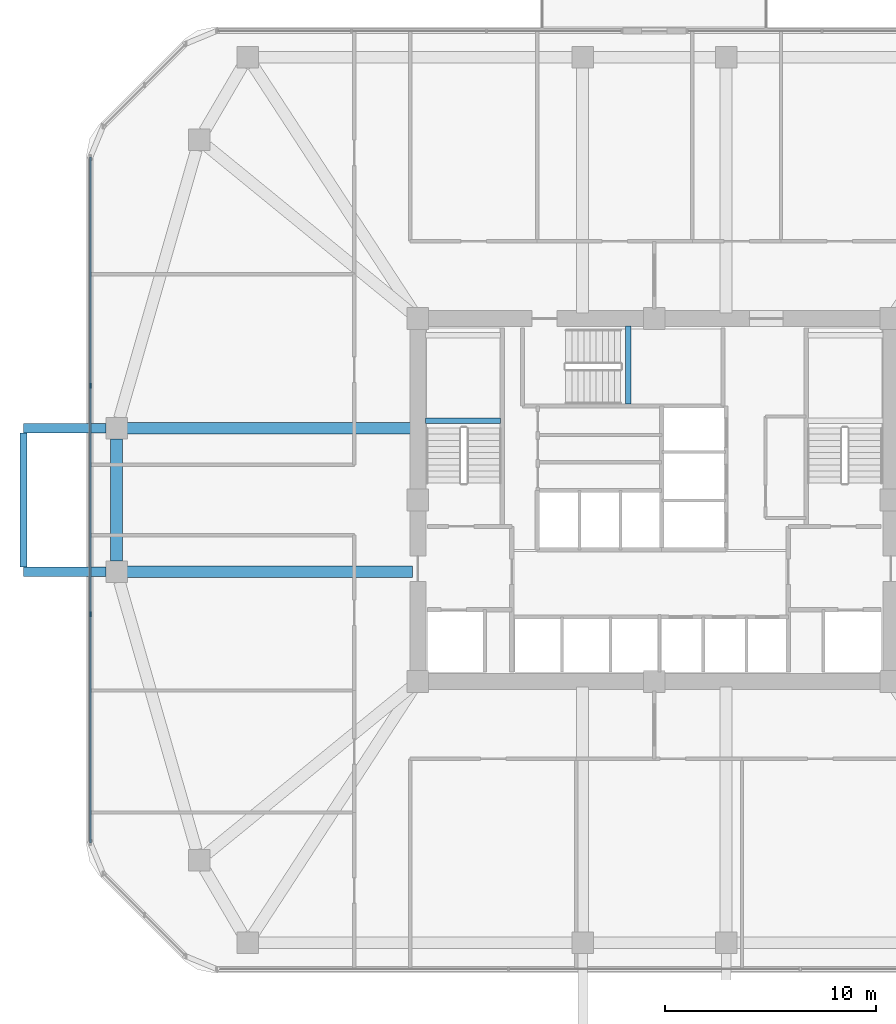
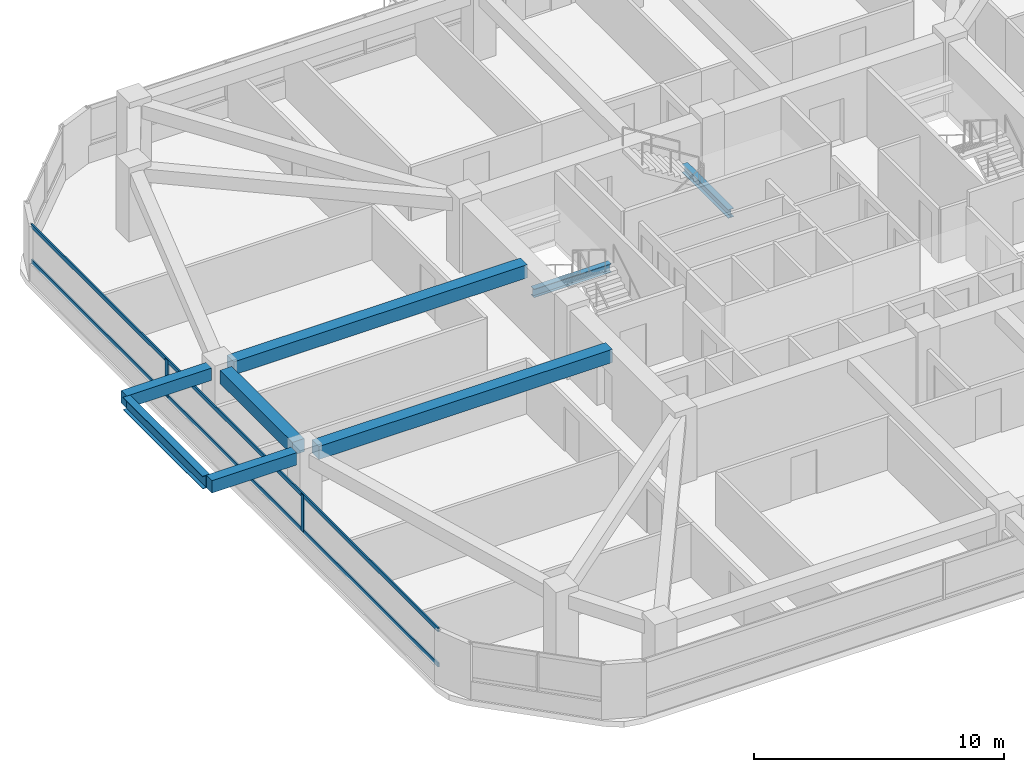
# One storey, part 4 of 14: 8 beams, 4 members, 1 element without a shape of its own.
"""IFC4 building model written with IfcOpenShell, lengths in metres."""

from ifc_helpers import new_model, si_unit, derived_unit, direction, frame, origin, origin_2d, place, context, subcontext, project, spatial, rectangle, i_section, extrude, material, material_profile, profile_set, type_object, element, aggregate, save


model = new_model("IFC4")

# Units and contexts
model_context = context("Model", 3, precision=1e-05, world=origin(), true_north=direction((0.0, 1.0)))
body_context = subcontext(model_context, "Body", "Model", "MODEL_VIEW")
ifc_project = project(units=[si_unit("LENGTHUNIT", "METRE"), si_unit("AREAUNIT", "SQUARE_METRE"), si_unit("VOLUMEUNIT", "CUBIC_METRE"), si_unit("PLANEANGLEUNIT", "RADIAN"), si_unit("MASSUNIT", "GRAM", prefix="KILO"), derived_unit("THERMALTRANSMITTANCEUNIT", [(si_unit("POWERUNIT", "WATT"), 1), (si_unit("LENGTHUNIT", "METRE"), -2), (si_unit("THERMODYNAMICTEMPERATUREUNIT", "KELVIN"), -1)])], contexts=[model_context])

# Site, building, storey
site_placement = place(None, origin())
site = spatial("IfcSite", under=ifc_project, at=site_placement, CompositionType="ELEMENT")
building_placement = place(site_placement, origin())
building = spatial("IfcBuilding", under=site, at=building_placement, Name="Koralith Skygarden Medical Center", CompositionType="ELEMENT")
storey_placement = place(building_placement, frame((0.0, 0.0, 81.179931640625)))
storey = spatial("IfcBuildingStorey", under=building, at=storey_placement, Name="L20", CompositionType="ELEMENT", Elevation=81.179931640625)

# Curtain wall, members
ifc_material_1 = material(Name="Clear Laminated Glass", Category="glass")
curtain_wall_type = type_object("IfcCurtainWallType", Name="CW-3 Zone 2 Faceted Solar Curtain Wall", PredefinedType="NOTDEFINED", material=ifc_material_1)
curtain_wall_placement = place(storey_placement, origin())
curtain_wall = element("IfcCurtainWall", 1, at=curtain_wall_placement, inside=storey, type_object=curtain_wall_type, Name="Curtain Wall CW-L20-W", PredefinedType="NOTDEFINED")
ifc_material_2 = material(Name="Aluminium 6063-T6", Category="aluminium")
ifc_material_profile_1 = material_profile(ifc_material_2, rectangle(XDim=0.073974609375, YDim=0.219970703125, at=origin_2d()), Name="MUL74X220")
ifc_profile_set_1 = profile_set([ifc_material_profile_1], Name="Aluminium 6063-T6")
member_type_1 = type_object("IfcMemberType", Name="CW-3 Extruded Mullion 74x220", PredefinedType="MULLION", material=ifc_profile_set_1)
member_1_placement = place(storey_placement, frame((10.280029296875, 31.31494140625, 0.85009765625), z_axis=(0.0, 0.0, 1.0), x_axis=(1.0, 0.0, 0.0)))
member_1 = element("IfcMember", 2, at=member_1_placement, type_object=member_type_1, Name="CW-L20-W Mullion 2", PredefinedType="MULLION", context=body_context, shape_type="SweptSolid", body=[
    extrude(rectangle(XDim=0.073974609375, YDim=0.219970703125, at=origin_2d()), origin(), (0.0, 0.0, 1.0), 1.820068359375),
])
member_2_placement = place(storey_placement, frame((10.280029296875, 20.485107421875, 0.85009765625), z_axis=(0.0, 0.0, 1.0), x_axis=(1.0, 0.0, 0.0)))
member_2 = element("IfcMember", 3, at=member_2_placement, type_object=member_type_1, Name="CW-L20-W Mullion 3", PredefinedType="MULLION", context=body_context, shape_type="SweptSolid", body=[
    extrude(rectangle(XDim=0.073974609375, YDim=0.219970703125, at=origin_2d()), origin(), (0.0, 0.0, 1.0), 1.820068359375),
])
ifc_material_profile_2 = material_profile(ifc_material_2, rectangle(XDim=0.069091796875, YDim=0.197998046875, at=origin_2d()), Name="TRN69X198")
ifc_profile_set_2 = profile_set([ifc_material_profile_2], Name="Aluminium 6063-T6")
member_type_2 = type_object("IfcMemberType", Name="CW-3 Thermal Transom 69x198", PredefinedType="USERDEFINED", material=ifc_profile_set_2)
member_3_placement = place(storey_placement, frame((10.280029296875, 42.14501953125, 0.900146484375), z_axis=(0.0, -1.0, 0.0), x_axis=(1.0, 0.0, 0.0)))
member_3 = element("IfcMember", 4, at=member_3_placement, type_object=member_type_2, Name="CW-L20-W Transom 1", ObjectType="TRANSOM", PredefinedType="USERDEFINED", context=body_context, shape_type="SweptSolid", body=[
    extrude(rectangle(XDim=0.069091796875, YDim=0.197998046875, at=origin_2d()), origin(), (0.0, 0.0, 1.0), 32.489990234375),
])
member_4_placement = place(storey_placement, frame((10.280029296875, 42.14501953125, 2.6201171875), z_axis=(0.0, -1.0, 0.0), x_axis=(1.0, 0.0, 0.0)))
member_4 = element("IfcMember", 5, at=member_4_placement, type_object=member_type_2, Name="CW-L20-W Transom 2", ObjectType="TRANSOM", PredefinedType="USERDEFINED", context=body_context, shape_type="SweptSolid", body=[
    extrude(rectangle(XDim=0.069091796875, YDim=0.197998046875, at=origin_2d()), origin(), (0.0, 0.0, 1.0), 32.489990234375),
])
aggregate(curtain_wall, [member_1, member_2, member_3, member_4])

# Beams
ifc_material_3 = material(Name="Steel ASTM A992 Grade 50", Category="steel")
ifc_material_profile_3 = material_profile(ifc_material_3, i_section(OverallWidth=0.326904296875, OverallDepth=0.6220703125, WebThickness=0.015380859375, FlangeThickness=0.0244140625, at=origin_2d()), Name="W24X131")
ifc_profile_set_3 = profile_set([ifc_material_profile_3], Name="Steel ASTM A992 Grade 50")
beam_type_1 = type_object("IfcBeamType", Name="Cantilever Tie Beam W24X131", PredefinedType="BEAM", material=ifc_profile_set_3)
beam_1_placement = place(storey_placement, frame((7.110107421875, 22.719970703125, 3.029052734375), z_axis=(0.0, 1.0, 0.0), x_axis=(-1.0, 0.0, 0.0)))
element("IfcBeam", 6, at=beam_1_placement, inside=storey, type_object=beam_type_1, Name="L21 W Balcony Tip Tie Beam", PredefinedType="BEAM", context=body_context, shape_type="SweptSolid", body=[
    extrude(i_section(OverallWidth=0.326904296875, OverallDepth=0.6220703125, WebThickness=0.015380859375, FlangeThickness=0.0244140625, at=origin_2d()), origin(), (0.0, 0.0, 1.0), 6.360107421875),
])
ifc_material_profile_4 = material_profile(ifc_material_3, i_section(OverallWidth=0.260009765625, OverallDepth=0.4150390625, WebThickness=0.010009765625, FlangeThickness=0.016845703125, at=origin_2d()), Name="W16X67")
ifc_profile_set_4 = profile_set([ifc_material_profile_4], Name="Steel ASTM A992 Grade 50")
beam_type_2 = type_object("IfcBeamType", Name="Clinical Floor Joist W16X67", PredefinedType="JOIST", material=ifc_profile_set_4)
beam_2_placement = place(storey_placement, frame((26.155029296875, 29.659912109375, 1.39306640625), z_axis=(1.0, 0.0, 0.0), x_axis=(0.0, 1.0, 0.0)))
element("IfcBeam", 7, at=beam_2_placement, inside=storey, type_object=beam_type_2, Name="L20 Stair ST1 Half-Landing Support Beam 1A", PredefinedType="JOIST", context=body_context, shape_type="SweptSolid", body=[
    extrude(i_section(OverallWidth=0.260009765625, OverallDepth=0.4150390625, WebThickness=0.010009765625, FlangeThickness=0.016845703125, at=origin_2d()), origin(), (0.0, 0.0, 1.0), 3.56494140625),
])
beam_3_placement = place(storey_placement, frame((35.760009765625, 30.43994140625, 1.39306640625), z_axis=(0.0, 1.0, 0.0), x_axis=(-1.0, 0.0, 0.0)))
element("IfcBeam", 8, at=beam_3_placement, inside=storey, type_object=beam_type_2, Name="L20 Stair ST3 Half-Landing Support Beam 1A", PredefinedType="JOIST", context=body_context, shape_type="SweptSolid", body=[
    extrude(i_section(OverallWidth=0.260009765625, OverallDepth=0.4150390625, WebThickness=0.010009765625, FlangeThickness=0.016845703125, at=origin_2d()), origin(), (0.0, 0.0, 1.0), 3.705078125),
])
ifc_material_4 = material(Name="Concrete C45/55", Category="concrete")
ifc_material_profile_5 = material_profile(ifc_material_4, rectangle(XDim=0.449951171875, YDim=0.60009765625, at=origin_2d()), Name="RCB450X600")
ifc_profile_set_5 = profile_set([ifc_material_profile_5], Name="Concrete C45/55")
beam_type_3 = type_object("IfcBeamType", Name="Planted Balcony Cantilever Beam RCB450X600", PredefinedType="BEAM", material=ifc_profile_set_5)
for number, where, z_axis, x_axis, name in (
    (9, (11.030029296875, 22.5, 3.0400390625), (-1.0, 0.0, 0.0), (0.0, -1.0, 0.0), "L21 W Balcony Cantilever Beam A"),
    (10, (11.030029296875, 29.300048828125, 3.0400390625), (-1.0, 0.0, 0.0), (0.0, -1.0, 0.0), "L21 W Balcony Cantilever Beam B"),
):
    element("IfcBeam", number, at=place(storey_placement, frame(where, z_axis=z_axis, x_axis=x_axis)), inside=storey, type_object=beam_type_3, Name=name, PredefinedType="BEAM", context=body_context, shape_type="SweptSolid", body=[
        extrude(rectangle(XDim=0.449951171875, YDim=0.60009765625, at=origin_2d()), origin(), (0.0, 0.0, 1.0), 3.919921875),
    ])
ifc_material_profile_6 = material_profile(ifc_material_4, rectangle(XDim=0.550048828125, YDim=0.639892578125, at=origin_2d()), Name="RCB550X640")
ifc_profile_set_6 = profile_set([ifc_material_profile_6], Name="Concrete C45/55")
beam_type_4 = type_object("IfcBeamType", Name="Radial Collector Beam RCB550X640", PredefinedType="BEAM", material=ifc_profile_set_6)
for number, where, z_axis, x_axis, name in (
    (11, (25.550048828125, 22.5, 3.0), (-1.0, 0.0, 0.0), (0.0, -1.0, 0.0), "L20 Radial Collector Beam RB-01"),
    (12, (25.550048828125, 29.300048828125, 3.0), (-1.0, 0.0, 0.0), (0.0, -1.0, 0.0), "L20 Radial Collector Beam RB-16"),
):
    element("IfcBeam", number, at=place(storey_placement, frame(where, z_axis=z_axis, x_axis=x_axis)), inside=storey, type_object=beam_type_4, Name=name, PredefinedType="BEAM", context=body_context, shape_type="SweptSolid", body=[
        extrude(rectangle(XDim=0.550048828125, YDim=0.639892578125, at=origin_2d()), origin(), (0.0, 0.0, 1.0), 13.530029296875),
    ])
ifc_material_profile_7 = material_profile(ifc_material_4, rectangle(XDim=0.550048828125, YDim=0.639892578125, at=origin_2d()), Name="RCB550X640")
ifc_profile_set_7 = profile_set([ifc_material_profile_7], Name="Concrete C45/55")
beam_type_5 = type_object("IfcBeamType", Name="Zone 2-3 Spandrel Beam RCB550X640", PredefinedType="SPANDREL", material=ifc_profile_set_7)
beam_4_placement = place(storey_placement, frame((11.52001953125, 28.800048828125, 3.0), z_axis=(0.0, -1.0, 0.0), x_axis=(1.0, 0.0, 0.0)))
element("IfcBeam", 13, at=beam_4_placement, inside=storey, type_object=beam_type_5, Name="L20 Perimeter Spandrel Beam SP-16", PredefinedType="SPANDREL", context=body_context, shape_type="SweptSolid", body=[
    extrude(rectangle(XDim=0.550048828125, YDim=0.639892578125, at=origin_2d()), origin(), (0.0, 0.0, 1.0), 5.800048828125),
])

save(model, "model.ifc")
